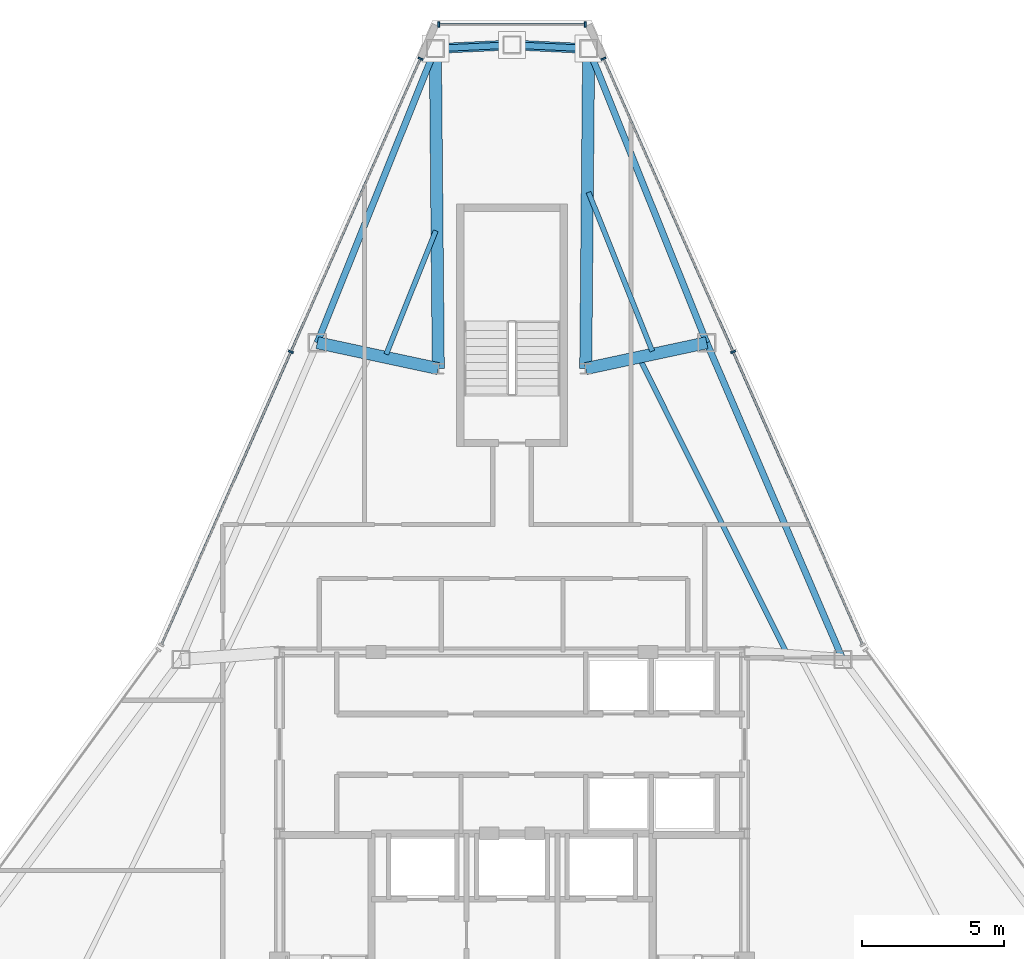
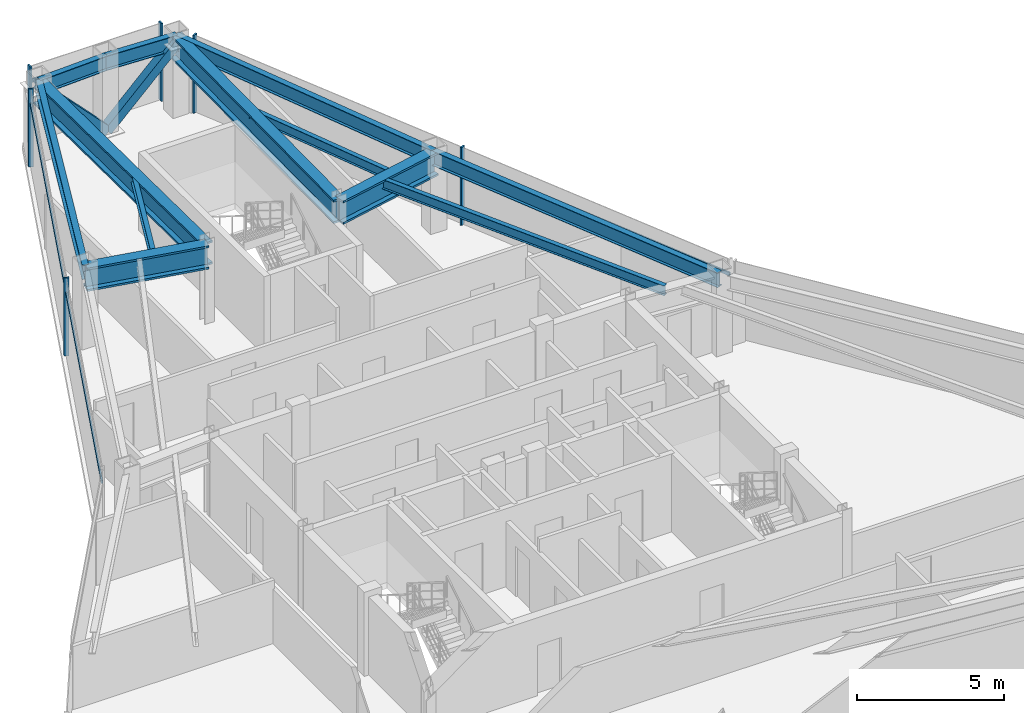
# One storey, part 7 of 12: 12 beams, 11 members, 3 elements without a shape of their own.
"""IFC4 building model written with IfcOpenShell, lengths in metres."""

from ifc_helpers import new_model, si_unit, direction, frame, origin, origin_2d, place, context, subcontext, project, spatial, rectangle, hollow_rectangle, i_section, extrude, source, transform, mapped, material, layer, layer_set, material_profile, profile_set, type_object, type_shapes, element, aggregate, save


model = new_model("IFC4")

# Units and contexts
model_context = context("Model", 3, precision=1e-05, world=origin(), true_north=direction((0.0, 1.0)))
body_context = subcontext(model_context, "Body", "Model", "MODEL_VIEW")
ifc_project = project(units=[si_unit("LENGTHUNIT", "METRE"), si_unit("AREAUNIT", "SQUARE_METRE"), si_unit("VOLUMEUNIT", "CUBIC_METRE"), si_unit("PLANEANGLEUNIT", "RADIAN"), si_unit("MASSUNIT", "GRAM", prefix="KILO")], contexts=[model_context])

# Site, building, storey
site_placement = place(None, origin())
site = spatial("IfcSite", under=ifc_project, at=site_placement, CompositionType="ELEMENT")
building_placement = place(site_placement, origin())
building = spatial("IfcBuilding", under=site, at=building_placement, Name="Varakhsha Concourse Tower", CompositionType="ELEMENT")
storey_placement = place(building_placement, frame((0.0, 0.0, 272.5)))
storey = spatial("IfcBuildingStorey", under=building, at=storey_placement, Name="L77", CompositionType="ELEMENT", Elevation=272.5)

# Beams
ifc_material_1 = material(Name="Structural Steel ASTM A992 Grade 50", Category="steel")
ifc_material_profile_1 = material_profile(ifc_material_1, i_section(OverallWidth=0.177978515625, OverallDepth=0.406982421875, WebThickness=0.008056640625, FlangeThickness=0.012939453125, at=origin_2d()), Name="W16X40")
ifc_profile_set_1 = profile_set([ifc_material_profile_1], Name="Structural Steel ASTM A992 Grade 50")
beam_type_1 = type_object("IfcBeamType", Name="BM-JST-W16X40", PredefinedType="JOIST", material=ifc_profile_set_1)
beam_1_placement = place(storey_placement, frame((37.3134765625, 46.065185546875, 3.04638671875), z_axis=(-0.372581792415, -0.927999357737, 0.0), x_axis=(0.927999357737, -0.372581792415, 0.0)))
element("IfcBeam", 1, at=beam_1_placement, inside=storey, type_object=beam_type_1, Name="BM-TJST-L77-03", PredefinedType="JOIST", context=body_context, shape_type="SweptSolid", body=[
    extrude(i_section(OverallWidth=0.177978515625, OverallDepth=0.406982421875, WebThickness=0.008056640625, FlangeThickness=0.012939453125, at=origin_2d()), origin(), (0.0, 0.0, 1.0), 4.698974609375),
])
beam_2_placement = place(storey_placement, frame((49.677978515625, 31.18310546875, 3.04638671875), z_axis=(-0.446527703162, 0.894769808559, 0.0), x_axis=(-0.894769808559, -0.446527703162, 0.0)))
element("IfcBeam", 2, at=beam_2_placement, inside=storey, type_object=beam_type_1, Name="BM-TJST-L77-17", PredefinedType="JOIST", context=body_context, shape_type="SweptSolid", body=[
    extrude(i_section(OverallWidth=0.177978515625, OverallDepth=0.406982421875, WebThickness=0.008056640625, FlangeThickness=0.012939453125, at=origin_2d()), origin(), (0.0, 0.0, 1.0), 11.534912109375),
])
beam_3_placement = place(storey_placement, frame((44.949462890625, 41.814453125, 3.04638671875), z_axis=(-0.372526263969, 0.928021649884, 0.0), x_axis=(-0.928021649884, -0.372526263969, 0.0)))
element("IfcBeam", 3, at=beam_3_placement, inside=storey, type_object=beam_type_1, Name="BM-TJST-L77-18", PredefinedType="JOIST", context=body_context, shape_type="SweptSolid", body=[
    extrude(i_section(OverallWidth=0.177978515625, OverallDepth=0.406982421875, WebThickness=0.008056640625, FlangeThickness=0.012939453125, at=origin_2d()), origin(), (0.0, 0.0, 1.0), 6.04052734375),
])
ifc_material_profile_2 = material_profile(ifc_material_1, i_section(OverallWidth=0.22900390625, OverallDepth=0.612060546875, WebThickness=0.011962890625, FlangeThickness=0.02001953125, at=origin_2d()), Name="W24X84")
ifc_profile_set_2 = profile_set([ifc_material_profile_2], Name="Structural Steel ASTM A992 Grade 50")
beam_type_2 = type_object("IfcBeamType", Name="BM-SPAN-W24X84", PredefinedType="SPANDREL", material=ifc_profile_set_2)
for number, where, z_axis, x_axis, name in (
    (4, (42.70361328125, 52.489501953125, 2.944091796875), (-0.998890878877, 0.047085157917, 0.0), (-0.047085157917, -0.998890878877, 0.0), "BM-SPAN-L77-01"),
    (5, (40.0, 52.616943359375, 2.944091796875), (-0.998890878877, -0.047085157917, 0.0), (0.047085157917, -0.998890878877, 0.0), "BM-SPAN-L77-02"),
):
    element("IfcBeam", number, at=place(storey_placement, frame(where, z_axis=z_axis, x_axis=x_axis)), inside=storey, type_object=beam_type_2, Name=name, PredefinedType="SPANDREL", context=body_context, shape_type="SweptSolid", body=[
        extrude(i_section(OverallWidth=0.22900390625, OverallDepth=0.612060546875, WebThickness=0.011962890625, FlangeThickness=0.02001953125, at=origin_2d()), origin(), (0.0, 0.0, 1.0), 2.70654296875),
    ])
beam_4_placement = place(storey_placement, frame((37.29638671875, 52.489501953125, 2.944091796875), z_axis=(-0.372576397184, -0.928001523846, 0.0), x_axis=(0.928001523846, -0.372576397184, 0.0)))
element("IfcBeam", 6, at=beam_4_placement, inside=storey, type_object=beam_type_2, Name="BM-SPAN-L77-03", PredefinedType="SPANDREL", context=body_context, shape_type="SweptSolid", body=[
    extrude(i_section(OverallWidth=0.22900390625, OverallDepth=0.612060546875, WebThickness=0.011962890625, FlangeThickness=0.02001953125, at=origin_2d()), origin(), (0.0, 0.0, 1.0), 11.1796875),
])
beam_5_placement = place(storey_placement, frame((51.6708984375, 30.938232421875, 2.944091796875), z_axis=(-0.394757231192, 0.918785463763, 0.0), x_axis=(-0.918785463763, -0.394757231192, 0.0)))
element("IfcBeam", 7, at=beam_5_placement, inside=storey, type_object=beam_type_2, Name="BM-SPAN-L77-17", PredefinedType="SPANDREL", context=body_context, shape_type="SweptSolid", body=[
    extrude(i_section(OverallWidth=0.22900390625, OverallDepth=0.612060546875, WebThickness=0.011962890625, FlangeThickness=0.02001953125, at=origin_2d()), origin(), (0.0, 0.0, 1.0), 12.16455078125),
])
beam_6_placement = place(storey_placement, frame((46.868896484375, 42.11474609375, 2.944091796875), z_axis=(-0.372576397184, 0.928001523846, 0.0), x_axis=(-0.928001523846, -0.372576397184, 0.0)))
element("IfcBeam", 8, at=beam_6_placement, inside=storey, type_object=beam_type_2, Name="BM-SPAN-L77-18", PredefinedType="SPANDREL", context=body_context, shape_type="SweptSolid", body=[
    extrude(i_section(OverallWidth=0.22900390625, OverallDepth=0.612060546875, WebThickness=0.011962890625, FlangeThickness=0.02001953125, at=origin_2d()), origin(), (0.0, 0.0, 1.0), 11.1796875),
])
ifc_material_profile_3 = material_profile(ifc_material_1, i_section(OverallWidth=0.427978515625, OverallDepth=0.97509765625, WebThickness=0.050048828125, FlangeThickness=0.0810546875, at=origin_2d()), Name="W36X395")
ifc_profile_set_3 = profile_set([ifc_material_profile_3], Name="Structural Steel ASTM A992 Grade 50")
beam_type_3 = type_object("IfcBeamType", Name="BM-XFER-W36X395", PredefinedType="USERDEFINED", material=ifc_profile_set_3)
for number, where, z_axis, x_axis, name in (
    (9, (42.60009765625, 41.199951171875, 2.762451171875), (0.009168768167, 0.999957965962, 0.0), (-0.999957965962, 0.009168768167, 0.0), "L77 Radial Floor Girder 01"),
    (10, (37.39990234375, 41.199951171875, 2.762451171875), (-0.009168768167, 0.999957965962, 0.0), (-0.999957965962, -0.009168768167, 0.0), "L77 Radial Floor Girder 03"),
):
    element("IfcBeam", number, at=place(storey_placement, frame(where, z_axis=z_axis, x_axis=x_axis)), inside=storey, type_object=beam_type_3, Name=name, ObjectType="GIRDER", PredefinedType="USERDEFINED", context=body_context, shape_type="SweptSolid", body=[
        extrude(i_section(OverallWidth=0.427978515625, OverallDepth=0.97509765625, WebThickness=0.050048828125, FlangeThickness=0.0810546875, at=origin_2d()), origin(), (0.0, 0.0, 1.0), 11.2900390625),
    ])
for number, where, z_axis, x_axis, name in (
    (11, (37.39990234375, 41.199951171875, 2.762451171875), (-0.977799958889, 0.209540545951, 0.0), (-0.209540545951, -0.977799958889, 0.0), "L77 Radial Floor Girder 04"),
    (12, (42.60009765625, 41.199951171875, 2.762451171875), (0.977799958889, 0.209540545951, 0.0), (-0.209540545951, 0.977799958889, 0.0), "L77 Radial Floor Girder 18"),
):
    element("IfcBeam", number, at=place(storey_placement, frame(where, z_axis=z_axis, x_axis=x_axis)), inside=storey, type_object=beam_type_3, Name=name, ObjectType="GIRDER", PredefinedType="USERDEFINED", context=body_context, shape_type="SweptSolid", body=[
        extrude(i_section(OverallWidth=0.427978515625, OverallDepth=0.97509765625, WebThickness=0.050048828125, FlangeThickness=0.0810546875, at=origin_2d()), origin(), (0.0, 0.0, 1.0), 4.36572265625),
    ])

# Members
ifc_material_2 = material(Name="Structural Steel ASTM A500 Grade C", Category="steel")
ifc_material_profile_4 = material_profile(ifc_material_2, hollow_rectangle(XDim=0.35009765625, YDim=0.35009765625, WallThickness=0.01611328125, at=origin_2d()), Name="HSS 350x350x16")
ifc_profile_set_4 = profile_set([ifc_material_profile_4], Name="Structural Steel ASTM A500 Grade C")
member_type_1 = type_object("IfcMemberType", Name="MB-TUBE-HSS350", PredefinedType="BRACE", material=ifc_profile_set_4)
shared_shape_1 = source(origin(), body_context, "Body", "SweptSolid", [
    extrude(hollow_rectangle(XDim=0.35009765625, YDim=0.35009765625, WallThickness=0.01611328125, at=origin_2d()), origin(), (0.0, 0.0, 1.0), 3.915771484375),
])
type_shapes(member_type_1, [shared_shape_1])
for number, where, z_axis, x_axis, name in (
    (13, (40.0, 52.616943359375, 0.1201171875), (0.690431687737, -0.032545181596, 0.722665133878), (0.047085157917, 0.998890878877, 0.0), "L77 Wind-Corner Tube Brace B01"),
    (14, (40.0, 52.616943359375, 0.1201171875), (-0.690431687737, -0.032545181596, 0.722665133878), (0.047085157917, -0.998890878877, 0.0), "L77 Wind-Corner Tube Brace B02"),
):
    element("IfcMember", number, at=place(storey_placement, frame(where, z_axis=z_axis, x_axis=x_axis)), inside=storey, type_object=member_type_1, Name=name, PredefinedType="BRACE", context=body_context, shape_type="MappedRepresentation", body=[
        mapped(shared_shape_1, transform((0.0, 0.0, 0.0), scale=1.0)),
    ])

# Curtain wall, members
ifc_material_3 = material(Name="Anodised Bronze Architectural Aluminium AA 6063-T6", Category="aluminium")
ifc_layer = layer(ifc_material_3, 0.199951171875, Name="CW-SYS-05")
ifc_layer_set = layer_set([ifc_layer], Name="Anodised Bronze Architectural Aluminium AA 6063-T6")
curtain_wall_type = type_object("IfcCurtainWallType", Name="CW-SYS-05", PredefinedType="NOTDEFINED", material=ifc_layer_set)
curtain_wall_1_placement = place(storey_placement, origin())
curtain_wall_1 = element("IfcCurtainWall", 15, at=curtain_wall_1_placement, inside=storey, type_object=curtain_wall_type, Name="L77 Chamfer Curtain Wall F1", PredefinedType="NOTDEFINED")
ifc_material_profile_5 = material_profile(ifc_material_3, rectangle(XDim=0.06494140625, YDim=0.179931640625, at=origin_2d()), Name="CWM-180X65")
ifc_profile_set_5 = profile_set([ifc_material_profile_5], Name="Anodised Bronze Architectural Aluminium AA 6063-T6")
member_type_2 = type_object("IfcMemberType", Name="CWM-180X65", PredefinedType="MULLION", material=ifc_profile_set_5)
shared_shape_2 = source(origin(), body_context, "Body", "SweptSolid", [
    extrude(rectangle(XDim=0.06494140625, YDim=0.179931640625, at=origin_2d()), origin(), (0.0, 0.0, 1.0), 3.25),
])
type_shapes(member_type_2, [shared_shape_2])
member_1_placement = place(storey_placement, frame((37.419921875, 53.3369140625, 0.0), z_axis=(0.0, 0.0, 1.0), x_axis=(1.0, 0.0, 0.0)))
member_1 = element("IfcMember", 16, at=member_1_placement, type_object=member_type_2, Name="CW-L77-F1 Mullion 00", PredefinedType="MULLION", context=body_context, shape_type="MappedRepresentation", body=[
    mapped(shared_shape_2, transform((0.0, 0.0, 0.0), scale=1.0)),
])
member_2_placement = place(storey_placement, frame((42.580078125, 53.3369140625, 0.0), z_axis=(0.0, 0.0, 1.0), x_axis=(1.0, 0.0, 0.0)))
member_2 = element("IfcMember", 17, at=member_2_placement, type_object=member_type_2, Name="CW-L77-F1 Mullion 01", PredefinedType="MULLION", context=body_context, shape_type="MappedRepresentation", body=[
    mapped(shared_shape_2, transform((0.0, 0.0, 0.0), scale=1.0)),
])

curtain_wall_2_placement = place(storey_placement, origin())
curtain_wall_2 = element("IfcCurtainWall", 18, at=curtain_wall_2_placement, inside=storey, type_object=curtain_wall_type, Name="L77 Crystal Curtain Wall F2", PredefinedType="NOTDEFINED")
member_3_placement = place(storey_placement, frame((32.201904296875, 41.793212890625, 0.0), z_axis=(0.0, 0.0, 1.0), x_axis=(0.404273357549, 0.914638208461, 0.0)))
member_3 = element("IfcMember", 19, at=member_3_placement, type_object=member_type_2, Name="CW-L77-F2 Mullion 01", PredefinedType="MULLION", context=body_context, shape_type="MappedRepresentation", body=[
    mapped(shared_shape_2, transform((0.0, 0.0, 0.0), scale=1.0)),
])
member_4_placement = place(storey_placement, frame((36.772216796875, 52.133544921875, 0.0), z_axis=(0.0, 0.0, 1.0), x_axis=(0.404273357549, 0.914638208461, 0.0)))
member_4 = element("IfcMember", 20, at=member_4_placement, type_object=member_type_2, Name="CW-L77-F2 Mullion 02", PredefinedType="MULLION", context=body_context, shape_type="MappedRepresentation", body=[
    mapped(shared_shape_2, transform((0.0, 0.0, 0.0), scale=1.0)),
])

curtain_wall_3_placement = place(storey_placement, origin())
curtain_wall_3 = element("IfcCurtainWall", 21, at=curtain_wall_3_placement, inside=storey, type_object=curtain_wall_type, Name="L77 Crystal Curtain Wall F9", PredefinedType="NOTDEFINED")
member_5_placement = place(storey_placement, frame((43.227783203125, 52.133544921875, 0.0), z_axis=(0.0, 0.0, 1.0), x_axis=(0.404273357549, -0.914638208461, 0.0)))
member_5 = element("IfcMember", 22, at=member_5_placement, type_object=member_type_2, Name="CW-L77-F9 Mullion 00", PredefinedType="MULLION", context=body_context, shape_type="MappedRepresentation", body=[
    mapped(shared_shape_2, transform((0.0, 0.0, 0.0), scale=1.0)),
])
member_6_placement = place(storey_placement, frame((47.798095703125, 41.793212890625, 0.0), z_axis=(0.0, 0.0, 1.0), x_axis=(0.404273357549, -0.914638208461, 0.0)))
member_6 = element("IfcMember", 23, at=member_6_placement, type_object=member_type_2, Name="CW-L77-F9 Mullion 01", PredefinedType="MULLION", context=body_context, shape_type="MappedRepresentation", body=[
    mapped(shared_shape_2, transform((0.0, 0.0, 0.0), scale=1.0)),
])

# Member
ifc_material_profile_6 = material_profile(ifc_material_3, rectangle(XDim=0.06005859375, YDim=0.139892578125, at=origin_2d()), Name="CWT-140X60")
ifc_profile_set_6 = profile_set([ifc_material_profile_6], Name="Anodised Bronze Architectural Aluminium AA 6063-T6")
member_type_3 = type_object("IfcMemberType", Name="CWT-140X60", PredefinedType="USERDEFINED", material=ifc_profile_set_6)
shared_shape_3 = source(origin(), body_context, "Body", "SweptSolid", [
    extrude(rectangle(XDim=0.06005859375, YDim=0.139892578125, at=origin_2d()), origin(), (0.0, 0.0, 1.0), 5.16015625),
])
member_7_placement = place(storey_placement, frame((37.419921875, 53.3369140625, 2.60009765625), z_axis=(1.0, 0.0, 0.0), x_axis=(0.0, 1.0, 0.0)))
member_7 = element("IfcMember", 24, at=member_7_placement, type_object=member_type_3, Name="CW-L77-F1 Transom 01", ObjectType="TRANSOM", PredefinedType="USERDEFINED", context=body_context, shape_type="MappedRepresentation", body=[
    mapped(shared_shape_3, transform((0.0, 0.0, 0.0), scale=1.0)),
])

aggregate(curtain_wall_1, [member_1, member_2, member_7])

shared_shape_4 = source(origin(), body_context, "Body", "SweptSolid", [
    extrude(rectangle(XDim=0.06005859375, YDim=0.139892578125, at=origin_2d()), origin(), (0.0, 0.0, 1.0), 22.61083984375),
])
type_shapes(member_type_3, [shared_shape_3, shared_shape_4])
member_8_placement = place(storey_placement, frame((27.63134765625, 31.45263671875, 2.60009765625), z_axis=(0.404267208087, 0.91464092652, 0.0), x_axis=(-0.91464092652, 0.404267208087, 0.0)))
member_8 = element("IfcMember", 25, at=member_8_placement, type_object=member_type_3, Name="CW-L77-F2 Transom 01", ObjectType="TRANSOM", PredefinedType="USERDEFINED", context=body_context, shape_type="MappedRepresentation", body=[
    mapped(shared_shape_4, transform((0.0, 0.0, 0.0), scale=1.0)),
])

aggregate(curtain_wall_2, [member_3, member_4, member_8])

member_9_placement = place(storey_placement, frame((43.227783203125, 52.133544921875, 2.60009765625), z_axis=(0.404267208087, -0.91464092652, 0.0), x_axis=(0.91464092652, 0.404267208087, 0.0)))
member_9 = element("IfcMember", 26, at=member_9_placement, type_object=member_type_3, Name="CW-L77-F9 Transom 01", ObjectType="TRANSOM", PredefinedType="USERDEFINED", context=body_context, shape_type="MappedRepresentation", body=[
    mapped(shared_shape_4, transform((0.0, 0.0, 0.0), scale=1.0)),
])

aggregate(curtain_wall_3, [member_5, member_6, member_9])

save(model, "model.ifc")
